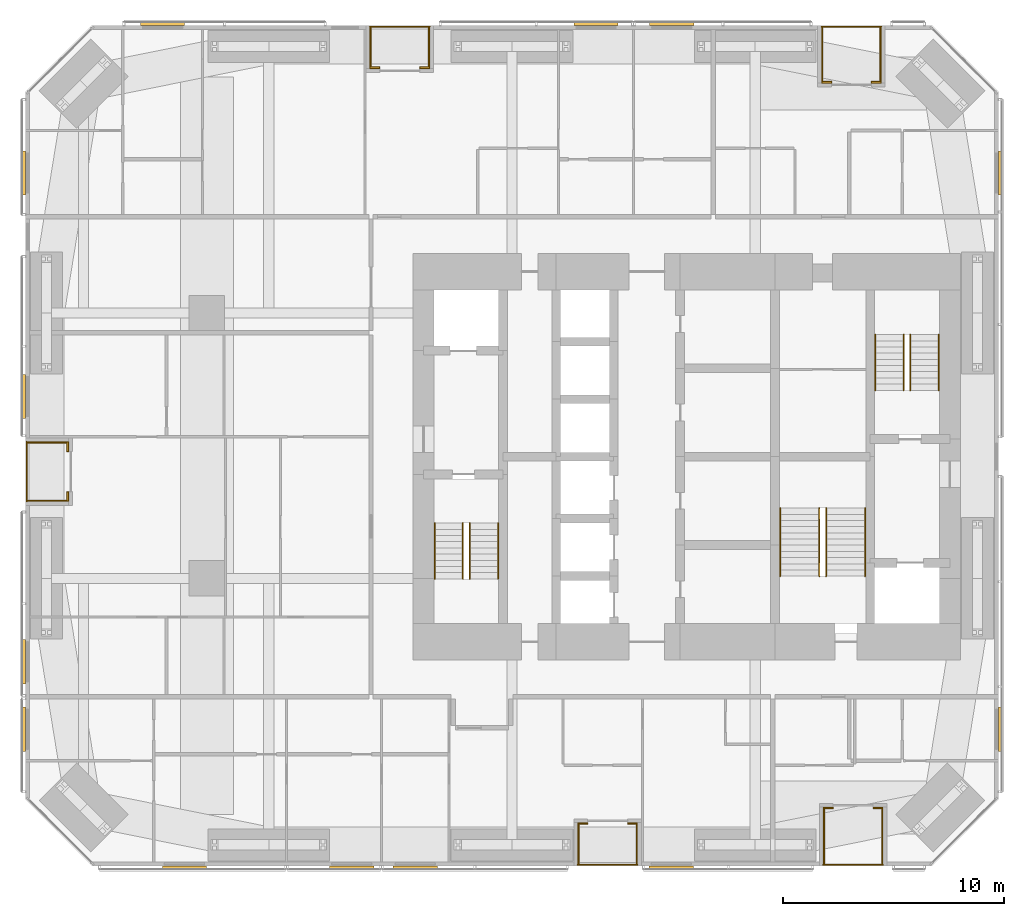
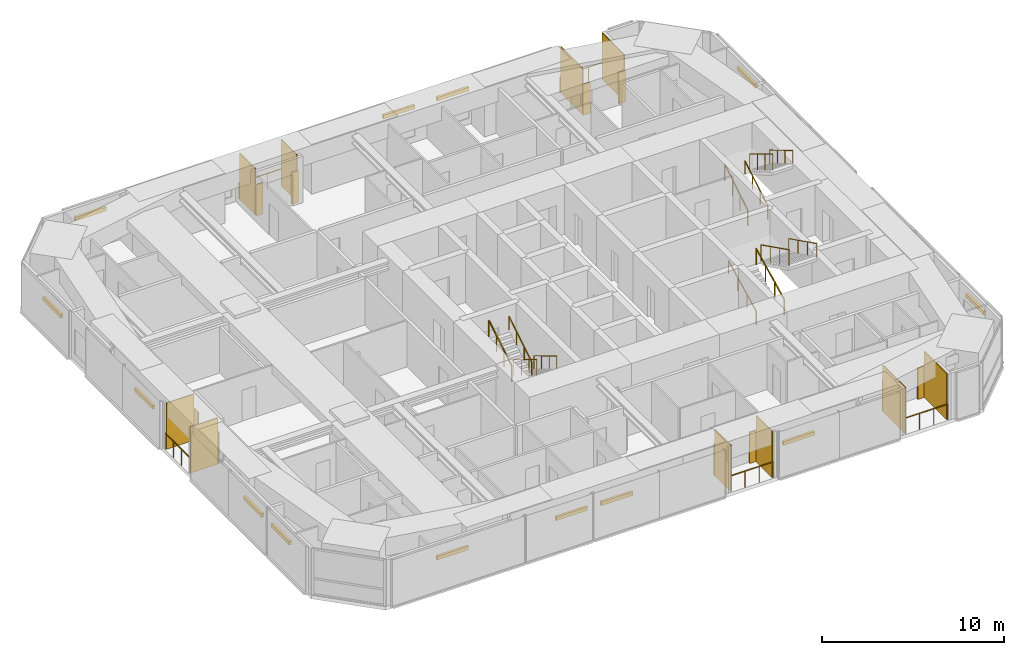
# One storey, part 24 of 24: 33 shading devices, 17 railings.
"""IFC4 building model written with IfcOpenShell, lengths in metres."""

from ifc_helpers import new_model, si_unit, direction, frame, origin, origin_2d, place, context, subcontext, project, spatial, rectangle, circle, extrude, material, layer, layer_set, constituent, constituent_set, type_object, element, save


model = new_model("IFC4")

# Units and contexts
model_context = context("Model", 3, precision=1e-05, world=origin(), true_north=direction((0.0, 1.0)))
body_context = subcontext(model_context, "Body", "Model", "MODEL_VIEW")
ifc_project = project(units=[si_unit("LENGTHUNIT", "METRE"), si_unit("AREAUNIT", "SQUARE_METRE"), si_unit("VOLUMEUNIT", "CUBIC_METRE"), si_unit("PLANEANGLEUNIT", "RADIAN"), si_unit("MASSUNIT", "GRAM", prefix="KILO")], contexts=[model_context])

# Site, building, storey
site_placement = place(None, origin())
site = spatial("IfcSite", under=ifc_project, at=site_placement, CompositionType="ELEMENT")
building_placement = place(site_placement, origin())
building = spatial("IfcBuilding", under=site, at=building_placement, Name="Jalousie Tower", CompositionType="ELEMENT")
storey_placement = place(building_placement, frame((0.0, 0.0, 54.5)))
storey = spatial("IfcBuildingStorey", under=building, at=storey_placement, Name="L14", CompositionType="ELEMENT", Elevation=54.5)

# Shading devices
ifc_material_1 = material(Name="Aluminium impact-rated louvred storm shutter", Category="aluminium")
shading_device_type_1 = type_object("IfcShadingDeviceType", Name="BI-FOLD STORM SHUTTER 900x2100", PredefinedType="SHUTTER", material=ifc_material_1)
for number, where, z_axis, x_axis, name in (
    (1, (27.199951171875, 1.909912109375, 0.0), (0.0, 0.0, 1.0), (1.0, 0.0, 0.0), "Loggia storm shutter L14"),
    (2, (29.449951171875, 1.909912109375, 0.0), (0.0, 0.0, 1.0), (1.0, 0.0, 0.0), "Loggia storm shutter L14"),
    (3, (38.300048828125, 2.610107421875, 0.0), (0.0, 0.0, 1.0), (1.0, 0.0, 0.0), "Loggia storm shutter L14"),
    (4, (40.550048828125, 2.610107421875, 0.0), (0.0, 0.0, 1.0), (1.0, 0.0, 0.0), "Loggia storm shutter L14"),
    (5, (40.4736328125, 35.43994140625, 0.0), (0.0, 0.0, 1.0), (-1.0, 0.0, 0.0), "Loggia storm shutter L14"),
    (6, (38.2236328125, 35.43994140625, 0.0), (0.0, 0.0, 1.0), (-1.0, 0.0, 0.0), "Loggia storm shutter L14"),
    (7, (20.050048828125, 36.090087890625, 0.0), (0.0, 0.0, 1.0), (-1.0, 0.0, 0.0), "Loggia storm shutter L14"),
    (8, (17.800048828125, 36.090087890625, 0.0), (0.0, 0.0, 1.0), (-1.0, 0.0, 0.0), "Loggia storm shutter L14"),
    (9, (3.909912109375, 18.949951171875, 0.0), (0.0, 0.0, 1.0), (0.0, -1.0, 0.0), "Loggia storm shutter L14"),
    (10, (3.909912109375, 16.699951171875, 0.0), (0.0, 0.0, 1.0), (0.0, -1.0, 0.0), "Loggia storm shutter L14"),
):
    element("IfcShadingDevice", number, at=place(storey_placement, frame(where, z_axis=z_axis, x_axis=x_axis)), inside=storey, type_object=shading_device_type_1, Name=name, PredefinedType="SHUTTER", context=body_context, shape_type="SweptSolid", body=[
        extrude(rectangle(XDim=0.449951171875, YDim=0.080078125, at=origin_2d()), origin(), (0.0, 0.0, 1.0), 2.10009765625),
    ])

# Railings
ifc_material_2 = material(Name="Powder-coated aluminium fretwork", Category="aluminium")
railing_type_1 = type_object("IfcRailingType", Name="FRETWORK BALUSTRADE 1100", PredefinedType="BALUSTRADE", material=ifc_material_2)
for number, where, name in (
    (11, (26.97509765625, 0.050048828125, 0.0), "Loggia fretwork balustrade L14"),
    (12, (38.074951171875, 0.050048828125, 0.0), "Loggia fretwork balustrade L14"),
):
    element("IfcRailing", number, at=place(storey_placement, frame(where)), inside=storey, type_object=railing_type_1, Name=name, PredefinedType="BALUSTRADE", context=body_context, shape_type="SweptSolid", body=[
        extrude(rectangle(XDim=0.048095703125, YDim=0.048095703125, at=origin_2d()), frame((0.0, 0.0, 1.076171875), z_axis=(1.0, 0.0, 0.0), x_axis=(0.0, 1.0, 0.0)), (0.0, 0.0, 1.0), 2.699951171875),
        extrude(circle(Radius=0.02099609375, at=origin_2d()), origin(), (0.0, 0.0, 1.0), 1.052001953125),
        extrude(circle(Radius=0.02099609375, at=origin_2d()), frame((0.89990234375, 0.0, 0.0)), (0.0, 0.0, 1.0), 1.052001953125),
        extrude(circle(Radius=0.02099609375, at=origin_2d()), frame((1.800048828125, 0.0, 0.0)), (0.0, 0.0, 1.0), 1.052001953125),
        extrude(circle(Radius=0.02099609375, at=origin_2d()), frame((2.699951171875, 0.0, 0.0)), (0.0, 0.0, 1.0), 1.052001953125),
    ])
for number, where, name in (
    (13, (40.69873046875, 37.949951171875, 0.0), "Loggia fretwork balustrade L14"),
    (14, (20.27490234375, 37.949951171875, 0.0), "Loggia fretwork balustrade L14"),
):
    element("IfcRailing", number, at=place(storey_placement, frame(where)), inside=storey, type_object=railing_type_1, Name=name, PredefinedType="BALUSTRADE", context=body_context, shape_type="SweptSolid", body=[
        extrude(rectangle(XDim=0.048095703125, YDim=0.048095703125, at=origin_2d()), frame((0.0, 0.0, 1.076171875), z_axis=(-1.0, 0.0, 0.0), x_axis=(0.0, -1.0, 0.0)), (0.0, 0.0, 1.0), 2.699951171875),
        extrude(circle(Radius=0.02099609375, at=origin_2d()), origin(), (0.0, 0.0, 1.0), 1.052001953125),
        extrude(circle(Radius=0.02099609375, at=origin_2d()), frame((-0.89990234375, 0.0, 0.0)), (0.0, 0.0, 1.0), 1.052001953125),
        extrude(circle(Radius=0.02099609375, at=origin_2d()), frame((-1.800048828125, 0.0, 0.0)), (0.0, 0.0, 1.0), 1.052001953125),
        extrude(circle(Radius=0.02099609375, at=origin_2d()), frame((-2.699951171875, 0.0, 0.0)), (0.0, 0.0, 1.0), 1.052001953125),
    ])
railing_1_placement = place(storey_placement, frame((2.050048828125, 19.175048828125, 0.0)))
element("IfcRailing", 15, at=railing_1_placement, inside=storey, type_object=railing_type_1, Name="Loggia fretwork balustrade L14", PredefinedType="BALUSTRADE", context=body_context, shape_type="SweptSolid", body=[
    extrude(rectangle(XDim=0.048095703125, YDim=0.048095703125, at=origin_2d()), frame((0.0, 0.0, 1.076171875), z_axis=(0.0, -1.0, 0.0), x_axis=(1.0, 0.0, 0.0)), (0.0, 0.0, 1.0), 2.699951171875),
    extrude(circle(Radius=0.02099609375, at=origin_2d()), origin(), (0.0, 0.0, 1.0), 1.052001953125),
    extrude(circle(Radius=0.02099609375, at=origin_2d()), frame((0.0, -0.89990234375, 0.0)), (0.0, 0.0, 1.0), 1.052001953125),
    extrude(circle(Radius=0.02099609375, at=origin_2d()), frame((0.0, -1.800048828125, 0.0)), (0.0, 0.0, 1.0), 1.052001953125),
    extrude(circle(Radius=0.02099609375, at=origin_2d()), frame((0.0, -2.699951171875, 0.0)), (0.0, 0.0, 1.0), 1.052001953125),
])

# Shading devices
ifc_material_3 = material(Name="Powder-coated aluminium louvres", Category="aluminium")
ifc_layer = layer(ifc_material_3, 0.06005859375)
ifc_layer_set = layer_set([ifc_layer], Name="Powder-coated aluminium louvres")
shading_device_type_2 = type_object("IfcShadingDeviceType", Name="JALOUSIE LOUVRE SCREEN", PredefinedType="JALOUSIE", material=ifc_layer_set)
for number, where, z_axis, x_axis, name in (
    (16, (27.0048828125, 0.97509765625, 0.0), (0.0, 0.0, 1.0), (1.0, 0.0, 0.0), "Loggia jalousie louvre screen L14"),
    (17, (29.64501953125, 0.97509765625, 0.0), (0.0, 0.0, 1.0), (1.0, 0.0, 0.0), "Loggia jalousie louvre screen L14"),
):
    element("IfcShadingDevice", number, at=place(storey_placement, frame(where, z_axis=z_axis, x_axis=x_axis)), inside=storey, type_object=shading_device_type_2, Name=name, PredefinedType="JALOUSIE", context=body_context, shape_type="SweptSolid", body=[
        extrude(rectangle(XDim=0.06005859375, YDim=1.75, at=origin_2d()), origin(), (0.0, 0.0, 1.0), 3.110107421875),
    ])
for number, where, z_axis, x_axis, name in (
    (18, (38.10498046875, 1.324951171875, 0.0), (0.0, 0.0, 1.0), (1.0, 0.0, 0.0), "Loggia jalousie louvre screen L14"),
    (19, (40.7451171875, 1.324951171875, 0.0), (0.0, 0.0, 1.0), (1.0, 0.0, 0.0), "Loggia jalousie louvre screen L14"),
):
    element("IfcShadingDevice", number, at=place(storey_placement, frame(where, z_axis=z_axis, x_axis=x_axis)), inside=storey, type_object=shading_device_type_2, Name=name, PredefinedType="JALOUSIE", context=body_context, shape_type="SweptSolid", body=[
        extrude(rectangle(XDim=0.06005859375, YDim=2.449951171875, at=origin_2d()), origin(), (0.0, 0.0, 1.0), 3.110107421875),
    ])
for number, where, z_axis, x_axis, name in (
    (20, (40.668701171875, 36.699951171875, 0.0), (0.0, 0.0, 1.0), (-1.0, 0.0, 0.0), "Loggia jalousie louvre screen L14"),
    (21, (38.02880859375, 36.699951171875, 0.0), (0.0, 0.0, 1.0), (-1.0, 0.0, 0.0), "Loggia jalousie louvre screen L14"),
):
    element("IfcShadingDevice", number, at=place(storey_placement, frame(where, z_axis=z_axis, x_axis=x_axis)), inside=storey, type_object=shading_device_type_2, Name=name, PredefinedType="JALOUSIE", context=body_context, shape_type="SweptSolid", body=[
        extrude(rectangle(XDim=0.06005859375, YDim=2.39990234375, at=origin_2d()), origin(), (0.0, 0.0, 1.0), 3.110107421875),
    ])
for number, where, z_axis, x_axis, name in (
    (22, (20.2451171875, 37.02490234375, 0.0), (0.0, 0.0, 1.0), (-1.0, 0.0, 0.0), "Loggia jalousie louvre screen L14"),
    (23, (17.60498046875, 37.02490234375, 0.0), (0.0, 0.0, 1.0), (-1.0, 0.0, 0.0), "Loggia jalousie louvre screen L14"),
    (24, (2.97509765625, 19.14501953125, 0.0), (0.0, 0.0, 1.0), (0.0, -1.0, 0.0), "Loggia jalousie louvre screen L14"),
    (25, (2.97509765625, 16.5048828125, 0.0), (0.0, 0.0, 1.0), (0.0, -1.0, 0.0), "Loggia jalousie louvre screen L14"),
):
    element("IfcShadingDevice", number, at=place(storey_placement, frame(where, z_axis=z_axis, x_axis=x_axis)), inside=storey, type_object=shading_device_type_2, Name=name, PredefinedType="JALOUSIE", context=body_context, shape_type="SweptSolid", body=[
        extrude(rectangle(XDim=0.06005859375, YDim=1.75, at=origin_2d()), origin(), (0.0, 0.0, 1.0), 3.110107421875),
    ])

# Railings
ifc_material_4 = material(Name="Steel ASTM A500 Grade C", Category="steel")
ifc_constituent_1 = constituent(ifc_material_4, Name="Body")
ifc_material_5 = material(Name="Hot-dip galvanised zinc coating")
ifc_constituent_2 = constituent(ifc_material_5, Name="Finish")
ifc_constituent_set_1 = constituent_set(constituents=[ifc_constituent_1, ifc_constituent_2])
railing_type_2 = type_object("IfcRailingType", Name="STAIR GUARD 1100", PredefinedType="GUARDRAIL", material=ifc_constituent_set_1)
railing_2_placement = place(storey_placement, frame((22.092529296875, 15.49755859375, 0.16748046875)))
element("IfcRailing", 26, at=railing_2_placement, inside=storey, type_object=railing_type_2, Name="Exit stair A guard L14 flight 1", PredefinedType="GUARDRAIL", context=body_context, shape_type="SweptSolid", body=[
    extrude(rectangle(XDim=0.048095703125, YDim=0.048095703125, at=origin_2d()), frame((0.0, 0.0, 1.076171875), z_axis=(0.0, -0.858159760407, 0.513382728203), x_axis=(1.0, 0.0, 0.0)), (0.0, 0.0, 1.0), 2.9365234375),
    extrude(circle(Radius=0.02099609375, at=origin_2d()), origin(), (0.0, 0.0, 1.0), 1.052001953125),
    extrude(circle(Radius=0.02099609375, at=origin_2d()), frame((0.0, -0.840087890625, 0.50244140625)), (0.0, 0.0, 1.0), 1.052001953125),
    extrude(circle(Radius=0.02099609375, at=origin_2d()), frame((0.0, -1.679931640625, 1.005126953125)), (0.0, 0.0, 1.0), 1.052001953125),
    extrude(circle(Radius=0.02099609375, at=origin_2d()), frame((0.0, -2.52001953125, 1.507568359375)), (0.0, 0.0, 1.0), 1.052001953125),
])
for number, where, name in (
    (27, (20.5048828125, 12.9775390625, 1.842529296875), "Exit stair A guard L14 flight 2"),
    (28, (40.43017578125, 21.50244140625, 0.16748046875), "Exit stair B guard L14 flight 1"),
):
    element("IfcRailing", number, at=place(storey_placement, frame(where)), inside=storey, type_object=railing_type_2, Name=name, PredefinedType="GUARDRAIL", context=body_context, shape_type="SweptSolid", body=[
        extrude(rectangle(XDim=0.048095703125, YDim=0.048095703125, at=origin_2d()), frame((0.0, 0.0, 1.076171875), z_axis=(0.0, 0.858159760407, 0.513382728203), x_axis=(-1.0, 0.0, 0.0)), (0.0, 0.0, 1.0), 2.9365234375),
        extrude(circle(Radius=0.02099609375, at=origin_2d()), origin(), (0.0, 0.0, 1.0), 1.052001953125),
        extrude(circle(Radius=0.02099609375, at=origin_2d()), frame((0.0, 0.840087890625, 0.50244140625)), (0.0, 0.0, 1.0), 1.052001953125),
        extrude(circle(Radius=0.02099609375, at=origin_2d()), frame((0.0, 1.679931640625, 1.005126953125)), (0.0, 0.0, 1.0), 1.052001953125),
        extrude(circle(Radius=0.02099609375, at=origin_2d()), frame((0.0, 2.52001953125, 1.507568359375)), (0.0, 0.0, 1.0), 1.052001953125),
    ])
railing_3_placement = place(storey_placement, frame((42.017578125, 24.0224609375, 1.842529296875)))
element("IfcRailing", 29, at=railing_3_placement, inside=storey, type_object=railing_type_2, Name="Exit stair B guard L14 flight 2", PredefinedType="GUARDRAIL", context=body_context, shape_type="SweptSolid", body=[
    extrude(rectangle(XDim=0.048095703125, YDim=0.048095703125, at=origin_2d()), frame((0.0, 0.0, 1.076171875), z_axis=(0.0, -0.858159760407, 0.513382728203), x_axis=(1.0, 0.0, 0.0)), (0.0, 0.0, 1.0), 2.9365234375),
    extrude(circle(Radius=0.02099609375, at=origin_2d()), origin(), (0.0, 0.0, 1.0), 1.052001953125),
    extrude(circle(Radius=0.02099609375, at=origin_2d()), frame((0.0, -0.840087890625, 0.50244140625)), (0.0, 0.0, 1.0), 1.052001953125),
    extrude(circle(Radius=0.02099609375, at=origin_2d()), frame((0.0, -1.679931640625, 1.005126953125)), (0.0, 0.0, 1.0), 1.052001953125),
    extrude(circle(Radius=0.02099609375, at=origin_2d()), frame((0.0, -2.52001953125, 1.507568359375)), (0.0, 0.0, 1.0), 1.052001953125),
])
railing_4_placement = place(storey_placement, frame((37.89501953125, 13.097412109375, 0.1396484375)))
element("IfcRailing", 30, at=railing_4_placement, inside=storey, type_object=railing_type_2, Name="Exit stair C guard L14 flight 1", PredefinedType="GUARDRAIL", context=body_context, shape_type="SweptSolid", body=[
    extrude(rectangle(XDim=0.048095703125, YDim=0.048095703125, at=origin_2d()), frame((0.0, 0.0, 1.076171875), z_axis=(0.0, 0.894965676997, 0.446134998624), x_axis=(-1.0, 0.0, 0.0)), (0.0, 0.0, 1.0), 3.441650390625),
    extrude(circle(Radius=0.02099609375, at=origin_2d()), origin(), (0.0, 0.0, 1.0), 1.052001953125),
    extrude(circle(Radius=0.02099609375, at=origin_2d()), frame((0.0, 1.026611328125, 0.51171875)), (0.0, 0.0, 1.0), 1.052001953125),
    extrude(circle(Radius=0.02099609375, at=origin_2d()), frame((0.0, 2.053466796875, 1.023681640625)), (0.0, 0.0, 1.0), 1.052001953125),
    extrude(circle(Radius=0.02099609375, at=origin_2d()), frame((0.0, 3.080078125, 1.535400390625)), (0.0, 0.0, 1.0), 1.052001953125),
])
railing_5_placement = place(storey_placement, frame((38.205078125, 16.177490234375, 1.814697265625)))
element("IfcRailing", 31, at=railing_5_placement, inside=storey, type_object=railing_type_2, Name="Exit stair C guard L14 flight 2", PredefinedType="GUARDRAIL", context=body_context, shape_type="SweptSolid", body=[
    extrude(rectangle(XDim=0.048095703125, YDim=0.048095703125, at=origin_2d()), frame((0.0, 0.0, 1.076171875), z_axis=(0.0, -0.894965676997, 0.446134998624), x_axis=(1.0, 0.0, 0.0)), (0.0, 0.0, 1.0), 3.441650390625),
    extrude(circle(Radius=0.02099609375, at=origin_2d()), origin(), (0.0, 0.0, 1.0), 1.052001953125),
    extrude(circle(Radius=0.02099609375, at=origin_2d()), frame((0.0, -1.026611328125, 0.51171875)), (0.0, 0.0, 1.0), 1.052001953125),
    extrude(circle(Radius=0.02099609375, at=origin_2d()), frame((0.0, -2.053466796875, 1.023681640625)), (0.0, 0.0, 1.0), 1.052001953125),
    extrude(circle(Radius=0.02099609375, at=origin_2d()), frame((0.0, -3.080078125, 1.535400390625)), (0.0, 0.0, 1.0), 1.052001953125),
])
ifc_material_6 = material(Name="Steel ASTM A500 Grade C", Category="steel")
ifc_constituent_3 = constituent(ifc_material_6, Name="Body")
ifc_material_7 = material(Name="Hot-dip galvanised zinc coating")
ifc_constituent_4 = constituent(ifc_material_7, Name="Finish")
ifc_constituent_set_2 = constituent_set(constituents=[ifc_constituent_3, ifc_constituent_4])
railing_type_3 = type_object("IfcRailingType", Name="STAIR HANDRAIL 900", PredefinedType="HANDRAIL", material=ifc_constituent_set_2)
railing_6_placement = place(storey_placement, frame((23.3701171875, 15.49755859375, 0.16748046875)))
element("IfcRailing", 32, at=railing_6_placement, inside=storey, type_object=railing_type_3, Name="Exit stair A handrail L14 flight 1", PredefinedType="HANDRAIL", context=body_context, shape_type="SweptSolid", body=[
    extrude(circle(Radius=0.02392578125, at=origin_2d()), frame((0.0, 0.0, 0.8759765625), z_axis=(0.0, -0.858159760407, 0.513382728203), x_axis=(1.0, 0.0, 0.0)), (0.0, 0.0, 1.0), 2.9365234375),
    extrude(circle(Radius=0.02099609375, at=origin_2d()), origin(), (0.0, 0.0, 1.0), 0.851806640625),
    extrude(circle(Radius=0.02099609375, at=origin_2d()), frame((0.0, -0.840087890625, 0.50244140625)), (0.0, 0.0, 1.0), 0.851806640625),
    extrude(circle(Radius=0.02099609375, at=origin_2d()), frame((0.0, -1.679931640625, 1.005126953125)), (0.0, 0.0, 1.0), 0.851806640625),
    extrude(circle(Radius=0.02099609375, at=origin_2d()), frame((0.0, -2.52001953125, 1.507568359375)), (0.0, 0.0, 1.0), 0.851806640625),
])
for number, where, name in (
    (33, (21.78271484375, 12.9775390625, 1.842529296875), "Exit stair A handrail L14 flight 2"),
    (34, (41.70751953125, 21.50244140625, 0.16748046875), "Exit stair B handrail L14 flight 1"),
):
    element("IfcRailing", number, at=place(storey_placement, frame(where)), inside=storey, type_object=railing_type_3, Name=name, PredefinedType="HANDRAIL", context=body_context, shape_type="SweptSolid", body=[
        extrude(circle(Radius=0.02392578125, at=origin_2d()), frame((0.0, 0.0, 0.8759765625), z_axis=(0.0, 0.858159760407, 0.513382728203), x_axis=(-1.0, 0.0, 0.0)), (0.0, 0.0, 1.0), 2.9365234375),
        extrude(circle(Radius=0.02099609375, at=origin_2d()), origin(), (0.0, 0.0, 1.0), 0.851806640625),
        extrude(circle(Radius=0.02099609375, at=origin_2d()), frame((0.0, 0.840087890625, 0.50244140625)), (0.0, 0.0, 1.0), 0.851806640625),
        extrude(circle(Radius=0.02099609375, at=origin_2d()), frame((0.0, 1.679931640625, 1.005126953125)), (0.0, 0.0, 1.0), 0.851806640625),
        extrude(circle(Radius=0.02099609375, at=origin_2d()), frame((0.0, 2.52001953125, 1.507568359375)), (0.0, 0.0, 1.0), 0.851806640625),
    ])
railing_7_placement = place(storey_placement, frame((43.294921875, 24.0224609375, 1.842529296875)))
element("IfcRailing", 35, at=railing_7_placement, inside=storey, type_object=railing_type_3, Name="Exit stair B handrail L14 flight 2", PredefinedType="HANDRAIL", context=body_context, shape_type="SweptSolid", body=[
    extrude(circle(Radius=0.02392578125, at=origin_2d()), frame((0.0, 0.0, 0.8759765625), z_axis=(0.0, -0.858159760407, 0.513382728203), x_axis=(1.0, 0.0, 0.0)), (0.0, 0.0, 1.0), 2.9365234375),
    extrude(circle(Radius=0.02099609375, at=origin_2d()), origin(), (0.0, 0.0, 1.0), 0.851806640625),
    extrude(circle(Radius=0.02099609375, at=origin_2d()), frame((0.0, -0.840087890625, 0.50244140625)), (0.0, 0.0, 1.0), 0.851806640625),
    extrude(circle(Radius=0.02099609375, at=origin_2d()), frame((0.0, -1.679931640625, 1.005126953125)), (0.0, 0.0, 1.0), 0.851806640625),
    extrude(circle(Radius=0.02099609375, at=origin_2d()), frame((0.0, -2.52001953125, 1.507568359375)), (0.0, 0.0, 1.0), 0.851806640625),
])
railing_8_placement = place(storey_placement, frame((36.1298828125, 13.097412109375, 0.1396484375)))
element("IfcRailing", 36, at=railing_8_placement, inside=storey, type_object=railing_type_3, Name="Exit stair C handrail L14 flight 1", PredefinedType="HANDRAIL", context=body_context, shape_type="SweptSolid", body=[
    extrude(circle(Radius=0.02392578125, at=origin_2d()), frame((0.0, 0.0, 0.8759765625), z_axis=(0.0, 0.894965676997, 0.446134998624), x_axis=(-1.0, 0.0, 0.0)), (0.0, 0.0, 1.0), 3.441650390625),
    extrude(circle(Radius=0.02099609375, at=origin_2d()), origin(), (0.0, 0.0, 1.0), 0.851806640625),
    extrude(circle(Radius=0.02099609375, at=origin_2d()), frame((0.0, 1.026611328125, 0.51171875)), (0.0, 0.0, 1.0), 0.851806640625),
    extrude(circle(Radius=0.02099609375, at=origin_2d()), frame((0.0, 2.053466796875, 1.023681640625)), (0.0, 0.0, 1.0), 0.851806640625),
    extrude(circle(Radius=0.02099609375, at=origin_2d()), frame((0.0, 3.080078125, 1.535400390625)), (0.0, 0.0, 1.0), 0.851806640625),
])
railing_9_placement = place(storey_placement, frame((39.969970703125, 16.177490234375, 1.814697265625)))
element("IfcRailing", 37, at=railing_9_placement, inside=storey, type_object=railing_type_3, Name="Exit stair C handrail L14 flight 2", PredefinedType="HANDRAIL", context=body_context, shape_type="SweptSolid", body=[
    extrude(circle(Radius=0.02392578125, at=origin_2d()), frame((0.0, 0.0, 0.8759765625), z_axis=(0.0, -0.894965676997, 0.446134998624), x_axis=(1.0, 0.0, 0.0)), (0.0, 0.0, 1.0), 3.441650390625),
    extrude(circle(Radius=0.02099609375, at=origin_2d()), origin(), (0.0, 0.0, 1.0), 0.851806640625),
    extrude(circle(Radius=0.02099609375, at=origin_2d()), frame((0.0, -1.026611328125, 0.51171875)), (0.0, 0.0, 1.0), 0.851806640625),
    extrude(circle(Radius=0.02099609375, at=origin_2d()), frame((0.0, -2.053466796875, 1.023681640625)), (0.0, 0.0, 1.0), 0.851806640625),
    extrude(circle(Radius=0.02099609375, at=origin_2d()), frame((0.0, -3.080078125, 1.535400390625)), (0.0, 0.0, 1.0), 0.851806640625),
])

# Shading devices
ifc_material_8 = material(Name="Aluminium roller storm shutter", Category="aluminium")
shading_device_type_3 = type_object("IfcShadingDeviceType", Name="STORM SHUTTER HOUSING", PredefinedType="SHUTTER", material=ifc_material_8)
for number, where, z_axis, x_axis, name in (
    (38, (9.18505859375, -0.074951171875, 2.10009765625), (0.0, 0.0, 1.0), (1.0, 0.0, 0.0), "Storm shutter L14"),
    (39, (16.757568359375, -0.074951171875, 2.10009765625), (0.0, 0.0, 1.0), (1.0, 0.0, 0.0), "Storm shutter L14"),
    (40, (19.625, -0.074951171875, 2.10009765625), (0.0, 0.0, 1.0), (1.0, 0.0, 0.0), "Storm shutter L14"),
    (41, (31.199951171875, -0.074951171875, 2.10009765625), (0.0, 0.0, 1.0), (1.0, 0.0, 0.0), "Storm shutter L14"),
    (42, (46.074951171875, 6.17333984375, 2.10009765625), (0.0, 0.0, 1.0), (0.0, 1.0, 0.0), "Storm shutter L14"),
    (43, (46.074951171875, 31.32666015625, 2.10009765625), (0.0, 0.0, 1.0), (0.0, 1.0, 0.0), "Storm shutter L14"),
    (44, (31.22509765625, 38.074951171875, 2.10009765625), (0.0, 0.0, 1.0), (-1.0, 0.0, 0.0), "Storm shutter L14"),
    (45, (27.800048828125, 38.074951171875, 2.10009765625), (0.0, 0.0, 1.0), (-1.0, 0.0, 0.0), "Storm shutter L14"),
    (46, (8.199951171875, 38.074951171875, 2.10009765625), (0.0, 0.0, 1.0), (-1.0, 0.0, 0.0), "Storm shutter L14"),
    (47, (1.925048828125, 31.32666015625, 2.10009765625), (0.0, 0.0, 1.0), (0.0, -1.0, 0.0), "Storm shutter L14"),
    (48, (1.925048828125, 21.22509765625, 2.10009765625), (0.0, 0.0, 1.0), (0.0, -1.0, 0.0), "Storm shutter L14"),
    (49, (1.925048828125, 9.22509765625, 2.10009765625), (0.0, 0.0, 1.0), (0.0, -1.0, 0.0), "Storm shutter L14"),
    (50, (1.925048828125, 6.17333984375, 2.10009765625), (0.0, 0.0, 1.0), (0.0, -1.0, 0.0), "Storm shutter L14"),
):
    element("IfcShadingDevice", number, at=place(storey_placement, frame(where, z_axis=z_axis, x_axis=x_axis)), inside=storey, type_object=shading_device_type_3, Name=name, PredefinedType="SHUTTER", context=body_context, shape_type="SweptSolid", body=[
        extrude(rectangle(XDim=2.0, YDim=0.14990234375, at=origin_2d()), origin(), (0.0, 0.0, 1.0), 0.25),
    ])

save(model, "model.ifc")
